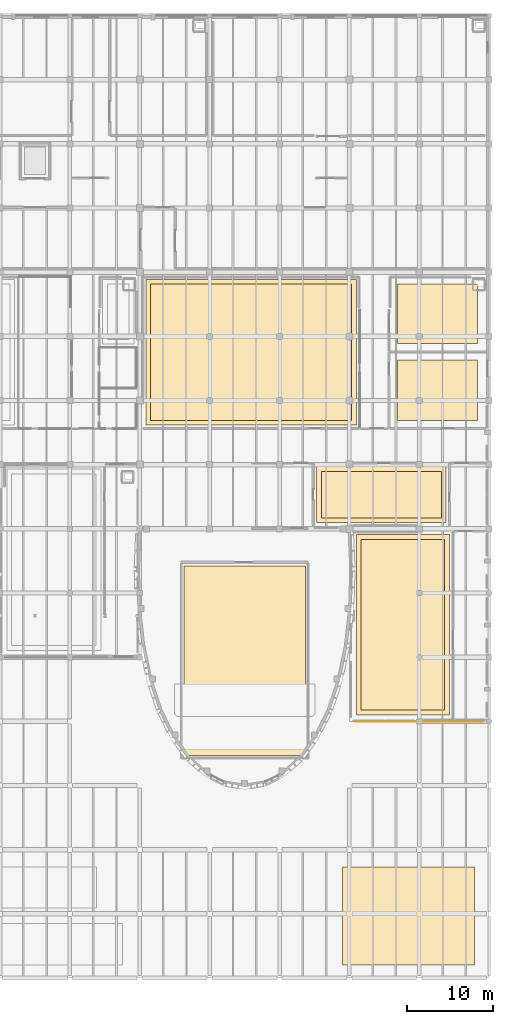
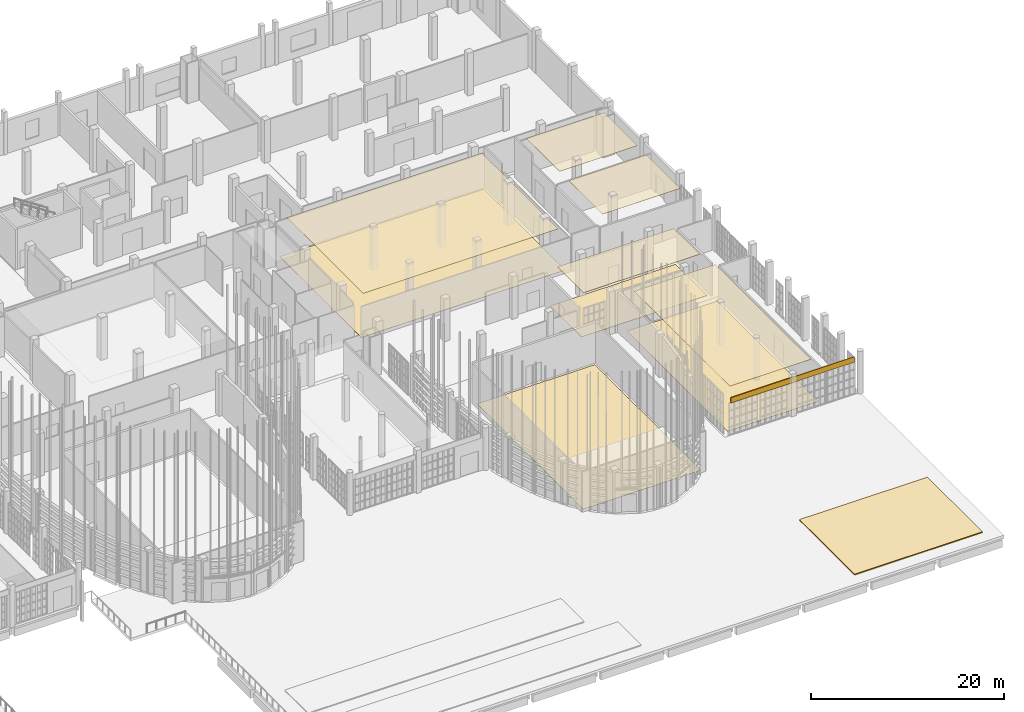
# One storey, part 371 of 372: 11 coverings.
"""IFC4 building model written with IfcOpenShell, lengths in metres."""

from ifc_helpers import new_model, si_unit, direction, frame, origin, origin_2d, place, context, subcontext, project, spatial, polyline, rectangle, outline, extrude, material, layer, layer_set, type_object, element, save


model = new_model("IFC4")

# Units and contexts
model_context = context("Model", 3, precision=1e-05, world=origin(), true_north=direction((0.0, 1.0)))
body_context = subcontext(model_context, "Body", "Model", "MODEL_VIEW")
ifc_project = project(units=[si_unit("LENGTHUNIT", "METRE"), si_unit("AREAUNIT", "SQUARE_METRE"), si_unit("VOLUMEUNIT", "CUBIC_METRE"), si_unit("PLANEANGLEUNIT", "RADIAN"), si_unit("MASSUNIT", "GRAM", prefix="KILO")], contexts=[model_context])

# Site, building, storey
site_placement = place(None, origin())
site = spatial("IfcSite", under=ifc_project, at=site_placement, CompositionType="ELEMENT")
building_placement = place(site_placement, origin())
building = spatial("IfcBuilding", under=site, at=building_placement, Name="Kaelora Sail Theatre", CompositionType="ELEMENT")
storey_placement = place(building_placement, origin())
storey = spatial("IfcBuildingStorey", under=building, at=storey_placement, Name="L00", CompositionType="ELEMENT", Elevation=0.0)

# Coverings
ifc_material_1 = material(Name="Micro-perforated timber acoustic reflector", Category="wood")
ifc_layer_1 = layer(ifc_material_1, 0.050048828125)
ifc_layer_set_1 = layer_set([ifc_layer_1], Name="Micro-perforated timber acoustic reflector")
covering_type_1 = type_object("IfcCoveringType", Name="ARC-COV-CLG-AC-50", PredefinedType="CEILING", material=ifc_layer_set_1)
covering_1_placement = place(storey_placement, frame((0.0, 0.0, 5.155029296875)))
element("IfcCovering", 1, at=covering_1_placement, inside=storey, type_object=covering_type_1, Name="Acoustic ceiling L00-COL-EAST", PredefinedType="CEILING", context=body_context, shape_type="SweptSolid", body=[
    extrude(outline(polyline([(148.64990234375, 32.550048828125), (158.35009765625, 32.550048828125), (158.35009765625, 52.35009765625), (148.64990234375, 52.35009765625), (148.64990234375, 32.550048828125)])), origin(), (0.0, 0.0, 1.0), 0.050048828125),
])
covering_2_placement = place(storey_placement, frame((0.0, 0.0, 5.050048828125)))
element("IfcCovering", 2, at=covering_2_placement, inside=storey, type_object=covering_type_1, Name="Acoustic ceiling L00-FOY-EAST", PredefinedType="CEILING", context=body_context, shape_type="SweptSolid", body=[
    extrude(outline(polyline([(124.25, 66.14990234375), (147.550048828125, 66.14990234375), (147.550048828125, 81.949951171875), (124.25, 81.949951171875), (124.25, 66.14990234375)])), origin(), (0.0, 0.0, 1.0), 0.050048828125),
])
covering_3_placement = place(storey_placement, frame((0.0, 0.0, 5.050048828125)))
element("IfcCovering", 3, at=covering_3_placement, inside=storey, type_object=covering_type_1, Name="Acoustic ceiling L00-FOY-SE", PredefinedType="CEILING", context=body_context, shape_type="SweptSolid", body=[
    extrude(outline(polyline([(144.050048828125, 54.85009765625), (157.949951171875, 54.85009765625), (157.949951171875, 60.25), (144.050048828125, 60.25), (144.050048828125, 54.85009765625)])), origin(), (0.0, 0.0, 1.0), 0.050048828125),
])
ifc_material_2 = material(Name="Suspended acoustic mineral-fibre ceiling", Category="gypsum")
ifc_layer_2 = layer(ifc_material_2, 0.034912109375)
ifc_layer_set_2 = layer_set([ifc_layer_2], Name="Suspended acoustic mineral-fibre ceiling")
covering_type_2 = type_object("IfcCoveringType", Name="ARC-COV-CLG-GYP-35", PredefinedType="CEILING", material=ifc_layer_set_2)
covering_4_placement = place(storey_placement, frame((0.0, 0.0, 5.06494140625)))
element("IfcCovering", 4, at=covering_4_placement, inside=storey, type_object=covering_type_2, Name="Acoustic ceiling L00-FIRSTAID", PredefinedType="CEILING", context=body_context, shape_type="SweptSolid", body=[
    extrude(outline(polyline([(152.85009765625, 66.14990234375), (162.14990234375, 66.14990234375), (162.14990234375, 73.14990234375), (152.85009765625, 73.14990234375), (152.85009765625, 66.14990234375)])), origin(), (0.0, 0.0, 1.0), 0.03515625),
])
covering_5_placement = place(storey_placement, frame((0.0, 0.0, 5.06494140625)))
element("IfcCovering", 5, at=covering_5_placement, inside=storey, type_object=covering_type_2, Name="Acoustic ceiling L00-FCC", PredefinedType="CEILING", context=body_context, shape_type="SweptSolid", body=[
    extrude(outline(polyline([(152.85009765625, 75.050048828125), (162.14990234375, 75.050048828125), (162.14990234375, 81.949951171875), (152.85009765625, 81.949951171875), (152.85009765625, 75.050048828125)])), origin(), (0.0, 0.0, 1.0), 0.03515625),
])
ifc_material_3 = material(Name="Sprung West African iroko stage and dance floor", Category="timber")
ifc_layer_3 = layer(ifc_material_3, 0.028076171875)
ifc_layer_set_3 = layer_set([ifc_layer_3], Name="Sprung West African iroko stage and dance floor")
covering_type_3 = type_object("IfcCoveringType", Name="ARC-COV-FLR-OAK-28", PredefinedType="FLOORING", material=ifc_layer_set_3)
covering_6_placement = place(storey_placement, origin())
element("IfcCovering", 6, at=covering_6_placement, inside=storey, type_object=covering_type_3, Name="Architectural flooring L00-AUD-BB", PredefinedType="FLOORING", context=body_context, shape_type="SweptSolid", body=[
    extrude(outline(polyline([(128.10009765625, 27.300048828125), (142.199951171875, 27.300048828125), (142.199951171875, 49.300048828125), (128.10009765625, 49.300048828125), (128.10009765625, 27.300048828125)])), origin(), (0.0, 0.0, 1.0), 0.028076171875),
])
ifc_material_4 = material(Name="Polished basalt-terrazzo foyer flooring", Category="masonry")
ifc_layer_4 = layer(ifc_material_4, 0.031982421875)
ifc_layer_set_4 = layer_set([ifc_layer_4], Name="Polished basalt-terrazzo foyer flooring")
covering_type_4 = type_object("IfcCoveringType", Name="ARC-COV-FLR-TRZ-32", PredefinedType="FLOORING", material=ifc_layer_set_4)
covering_7_placement = place(storey_placement, origin())
element("IfcCovering", 7, at=covering_7_placement, inside=storey, type_object=covering_type_4, Name="Architectural flooring L00-COL-EAST", PredefinedType="FLOORING", context=body_context, shape_type="SweptSolid", body=[
    extrude(outline(polyline([(148.10009765625, 32.0), (158.89990234375, 32.0), (158.89990234375, 52.89990234375), (148.10009765625, 52.89990234375), (148.10009765625, 32.0)])), origin(), (0.0, 0.0, 1.0), 0.031982421875),
])
covering_8_placement = place(storey_placement, origin())
element("IfcCovering", 8, at=covering_8_placement, inside=storey, type_object=covering_type_4, Name="Architectural flooring L00-FOY-EAST", PredefinedType="FLOORING", context=body_context, shape_type="SweptSolid", body=[
    extrude(outline(polyline([(123.699951171875, 65.60009765625), (148.10009765625, 65.60009765625), (148.10009765625, 82.5), (123.699951171875, 82.5), (123.699951171875, 65.60009765625)])), origin(), (0.0, 0.0, 1.0), 0.031982421875),
])
covering_9_placement = place(storey_placement, origin())
element("IfcCovering", 9, at=covering_9_placement, inside=storey, type_object=covering_type_4, Name="Architectural flooring L00-FOY-SE", PredefinedType="FLOORING", context=body_context, shape_type="SweptSolid", body=[
    extrude(outline(polyline([(143.5, 54.300048828125), (158.5, 54.300048828125), (158.5, 60.800048828125), (143.5, 60.800048828125), (143.5, 54.300048828125)])), origin(), (0.0, 0.0, 1.0), 0.031982421875),
])
ifc_material_5 = material(Name="Planted roof garden and green foliage terrace bed", Category="earth")
ifc_layer_5 = layer(ifc_material_5, 0.1201171875)
ifc_layer_set_5 = layer_set([ifc_layer_5], Name="Planted roof garden and green foliage terrace bed")
covering_type_5 = type_object("IfcCoveringType", Name="ARC-COV-GRN", PredefinedType="ROOFING", material=ifc_layer_set_5)
covering_10_placement = place(storey_placement, origin())
element("IfcCovering", 10, at=covering_10_placement, inside=storey, type_object=covering_type_5, Name="South Civic Podium Planted Garden Terrace POD-GRN-E3", PredefinedType="ROOFING", context=body_context, shape_type="SweptSolid", body=[
    extrude(outline(polyline([(146.5, 3.0), (161.800048828125, 3.0), (161.800048828125, 14.39990234375), (146.5, 14.39990234375), (146.5, 3.0)])), origin(), (0.0, 0.0, 1.0), 0.1201171875),
])
ifc_material_6 = material(Name="Warm terracotta acoustic Postmodern facade entablature", Category="masonry")
ifc_layer_6 = layer(ifc_material_6, 0.06494140625)
ifc_layer_set_6 = layer_set([ifc_layer_6], Name="Warm terracotta acoustic Postmodern facade entablature")
covering_type_6 = type_object("IfcCoveringType", Name="ARC-COV-TRC", PredefinedType="CLADDING", material=ifc_layer_set_6)
covering_11_placement = place(storey_placement, frame((155.39990234375, 31.239990234375, 4.10986328125), z_axis=(0.0, 0.0, 1.0), x_axis=(1.0, 0.0, 0.0)))
element("IfcCovering", 11, at=covering_11_placement, inside=storey, type_object=covering_type_6, Name="Postmodern Terracotta Portal Entablature COLE", PredefinedType="CLADDING", context=body_context, shape_type="SweptSolid", body=[
    extrude(rectangle(XDim=14.800048828125, YDim=0.080078125, at=origin_2d()), origin(), (0.0, 0.0, 1.0), 0.679931640625),
])

save(model, "model.ifc")
